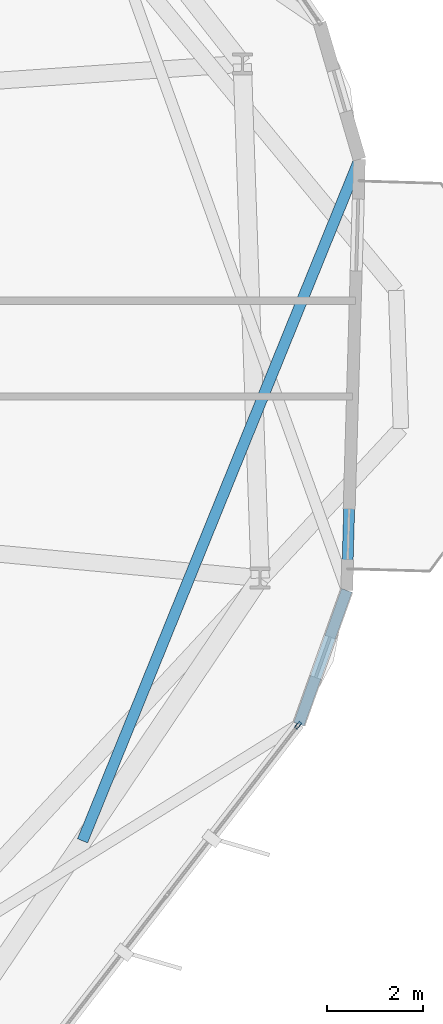
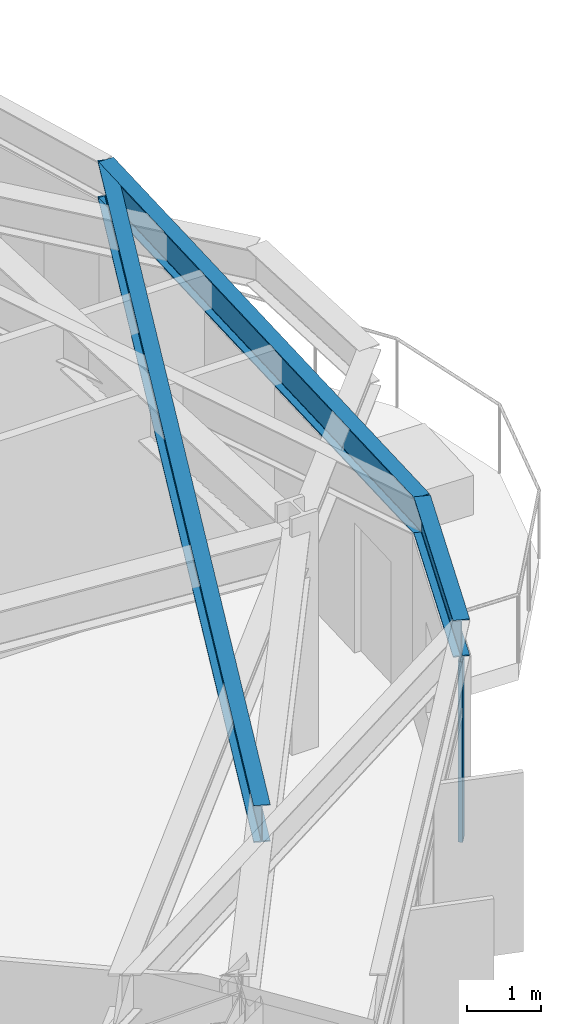
# One storey, part 10 of 24: 3 beams, 1 member, 1 element without a shape of its own.
"""IFC4 building model written with IfcOpenShell, lengths in metres."""

from ifc_helpers import new_model, si_unit, direction, frame, origin, origin_2d, place, context, subcontext, project, spatial, hollow_rectangle, i_section, extrude, material, layer, layer_set, material_profile, profile_set, type_object, element, aggregate, save


model = new_model("IFC4")

# Units and contexts
model_context = context("Model", 3, precision=1e-05, world=origin(), true_north=direction((0.0, 1.0)))
body_context = subcontext(model_context, "Body", "Model", "MODEL_VIEW")
ifc_project = project(units=[si_unit("LENGTHUNIT", "METRE"), si_unit("AREAUNIT", "SQUARE_METRE"), si_unit("VOLUMEUNIT", "CUBIC_METRE"), si_unit("PLANEANGLEUNIT", "RADIAN"), si_unit("MASSUNIT", "GRAM", prefix="KILO")], contexts=[model_context])

# Site, building, storey
site_placement = place(None, origin())
site = spatial("IfcSite", under=ifc_project, at=site_placement, CompositionType="ELEMENT")
building_placement = place(site_placement, origin())
building = spatial("IfcBuilding", under=site, at=building_placement, Name="Soratama Intermodal Tower", CompositionType="ELEMENT")
storey_placement = place(building_placement, frame((0.0, 0.0, 91.300048828125)))
storey = spatial("IfcBuildingStorey", under=building, at=storey_placement, Name="L21", CompositionType="ELEMENT", Elevation=91.300048828125)

# Beams
ifc_material_1 = material(Name="Structural steel ASTM A992 Grade 50", Category="steel")
ifc_material_profile_1 = material_profile(ifc_material_1, i_section(OverallWidth=0.22900390625, OverallDepth=0.612060546875, WebThickness=0.011962890625, FlangeThickness=0.01953125, FilletRadius=0.012939453125, at=origin_2d()), Name="W24X84")
ifc_profile_set_1 = profile_set([ifc_material_profile_1], Name="Structural steel ASTM A992 Grade 50")
beam_type_1 = type_object("IfcBeamType", Name="BM-SPN-W24X84", PredefinedType="SPANDREL", material=ifc_profile_set_1)
beam_1_placement = place(storey_placement, frame((62.535888671875, 17.153076171875, 3.2939453125), z_axis=(0.336795183778, 0.941577933144, 0.0), x_axis=(-0.941577933144, 0.336795183778, 0.0)))
element("IfcBeam", 1, at=beam_1_placement, inside=storey, type_object=beam_type_1, Name="BS-L21-CRN09", PredefinedType="SPANDREL", context=body_context, shape_type="SweptSolid", body=[
    extrude(i_section(OverallWidth=0.22900390625, OverallDepth=0.612060546875, WebThickness=0.011962890625, FlangeThickness=0.01953125, FilletRadius=0.012939453125, at=origin_2d()), origin(), (0.0, 0.0, 1.0), 2.96630859375),
])
beam_2_placement = place(storey_placement, frame((63.534912109375, 19.946044921875, 3.2939453125), z_axis=(0.02940462127, 0.999567590635, 0.0), x_axis=(-0.999567590635, 0.02940462127, 0.0)))
element("IfcBeam", 2, at=beam_2_placement, inside=storey, type_object=beam_type_1, Name="BS-L21-F10", PredefinedType="SPANDREL", context=body_context, shape_type="SweptSolid", body=[
    extrude(i_section(OverallWidth=0.22900390625, OverallDepth=0.612060546875, WebThickness=0.011962890625, FlangeThickness=0.01953125, FilletRadius=0.012939453125, at=origin_2d()), origin(), (0.0, 0.0, 1.0), 9.016845703125),
])
ifc_material_2 = material(Name="Structural steel ASTM A992 Grade 50", Category="steel")
ifc_material_profile_2 = material_profile(ifc_material_2, i_section(OverallWidth=0.22900390625, OverallDepth=0.612060546875, WebThickness=0.011962890625, FlangeThickness=0.01953125, FilletRadius=0.012939453125, at=origin_2d()), Name="W24X84")
ifc_profile_set_2 = profile_set([ifc_material_profile_2], Name="Structural steel ASTM A992 Grade 50")
beam_type_2 = type_object("IfcBeamType", Name="BM-TIE-W24X84", PredefinedType="BEAM", material=ifc_profile_set_2)
beam_3_placement = place(storey_placement, frame((58.012939453125, 14.714111328125, 3.2939453125), z_axis=(0.37638428744, 0.926463635643, 0.0), x_axis=(-0.926463635643, 0.37638428744, 0.0)))
element("IfcBeam", 3, at=beam_3_placement, inside=storey, type_object=beam_type_2, Name="BM-L21-TIE1-10", PredefinedType="BEAM", context=body_context, shape_type="SweptSolid", body=[
    extrude(i_section(OverallWidth=0.22900390625, OverallDepth=0.612060546875, WebThickness=0.011962890625, FlangeThickness=0.01953125, FilletRadius=0.012939453125, at=origin_2d()), origin(), (0.0, 0.0, 1.0), 15.37548828125),
])

# Curtain wall, member
ifc_material_3 = material(Name="Double-glazed aluminium curtain wall", Category="aluminium")
ifc_layer = layer(ifc_material_3, 0.159912109375)
ifc_layer_set = layer_set([ifc_layer], Name="Double-glazed aluminium curtain wall")
curtain_wall_type = type_object("IfcCurtainWallType", Name="CW-SYS-3", PredefinedType="NOTDEFINED", material=ifc_layer_set)
curtain_wall_placement = place(storey_placement, origin())
curtain_wall = element("IfcCurtainWall", 4, at=curtain_wall_placement, inside=storey, type_object=curtain_wall_type, Name="L21 Faceted Curtain Wall F09", PredefinedType="NOTDEFINED")
ifc_material_4 = material(Name="Anodised aluminium AA 6063-T6", Category="aluminium")
ifc_material_profile_3 = material_profile(ifc_material_4, hollow_rectangle(XDim=0.070068359375, YDim=0.159912109375, WallThickness=0.0048828125, InnerFilletRadius=0.0048828125, OuterFilletRadius=0.010009765625, at=origin_2d()), Name="CWM160X70X5")
ifc_profile_set_3 = profile_set([ifc_material_profile_3], Name="Anodised aluminium AA 6063-T6")
member_type = type_object("IfcMemberType", Name="MT-CWM-3", PredefinedType="MULLION", material=ifc_profile_set_3)
member_placement = place(storey_placement, frame((62.517822265625, 17.12890625, 0.0), z_axis=(0.0, 0.0, 1.0), x_axis=(-0.79143717295, 0.611250522513, 0.0)))
member = element("IfcMember", 5, at=member_placement, type_object=member_type, Name="CW-3 mullion 3", PredefinedType="MULLION", context=body_context, shape_type="SweptSolid", body=[
    extrude(hollow_rectangle(XDim=0.070068359375, YDim=0.159912109375, WallThickness=0.0048828125, InnerFilletRadius=0.0048828125, OuterFilletRadius=0.010009765625, at=origin_2d()), origin(), (0.0, 0.0, 1.0), 2.97900390625),
])
aggregate(curtain_wall, [member])

save(model, "model.ifc")
